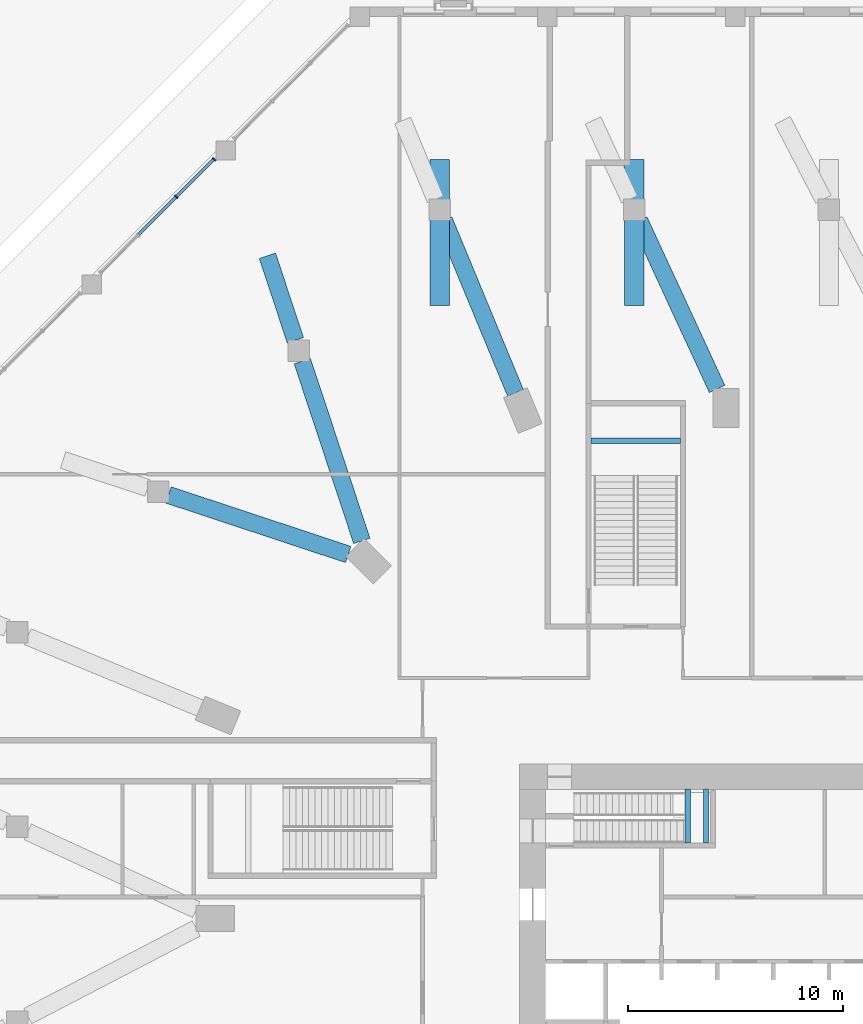
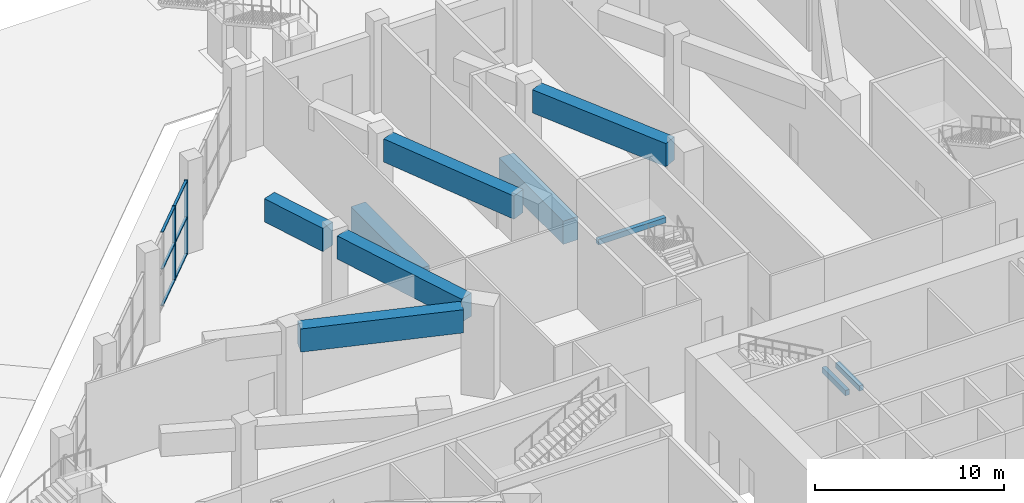
# One storey, part 11 of 36: 10 beams, 8 members, 1 element without a shape of its own.
"""IFC4 building model written with IfcOpenShell, lengths in metres."""

from ifc_helpers import new_model, si_unit, direction, frame, origin, origin_2d, place, context, subcontext, project, spatial, rectangle, extrude, material, material_profile, profile_set, type_object, element, aggregate, save


model = new_model("IFC4")

# Units and contexts
model_context = context("Model", 3, precision=1e-05, world=origin(), true_north=direction((0.0, 1.0)))
body_context = subcontext(model_context, "Body", "Model", "MODEL_VIEW")
ifc_project = project(units=[si_unit("LENGTHUNIT", "METRE"), si_unit("AREAUNIT", "SQUARE_METRE"), si_unit("VOLUMEUNIT", "CUBIC_METRE"), si_unit("PLANEANGLEUNIT", "RADIAN"), si_unit("MASSUNIT", "GRAM", prefix="KILO")], contexts=[model_context])

# Site, building, storey
site_placement = place(None, origin())
site = spatial("IfcSite", under=ifc_project, at=site_placement, CompositionType="ELEMENT")
building_placement = place(site_placement, origin())
building = spatial("IfcBuilding", under=site, at=building_placement, Name="Msitu Wima Residences", CompositionType="ELEMENT")
storey_placement = place(building_placement, origin())
storey = spatial("IfcBuildingStorey", under=building, at=storey_placement, Name="L00", CompositionType="ELEMENT", Elevation=0.0)

# Beams
ifc_material_1 = material(Name="Concrete C40/50", Category="concrete")
ifc_material_profile_1 = material_profile(ifc_material_1, rectangle(XDim=0.25, YDim=0.35009765625, at=origin_2d()), Name="RC 250x350")
ifc_profile_set_1 = profile_set([ifc_material_profile_1], Name="Concrete C40/50")
beam_type_1 = type_object("IfcBeamType", Name="Landing beam RC 250x350", PredefinedType="BEAM", material=ifc_profile_set_1)
for number, where, z_axis, x_axis, name in (
    (1, (-6.574951171875, 8.324951171875, 2.625), (0.0, 1.0, 0.0), (-1.0, 0.0, 0.0), "Stair 1 landing beam"),
    (2, (-5.72509765625, 8.324951171875, 2.625), (0.0, 1.0, 0.0), (-1.0, 0.0, 0.0), "Stair 1 landing beam"),
):
    element("IfcBeam", number, at=place(storey_placement, frame(where, z_axis=z_axis, x_axis=x_axis)), inside=storey, type_object=beam_type_1, Name=name, PredefinedType="BEAM", context=body_context, shape_type="SweptSolid", body=[
        extrude(rectangle(XDim=0.25, YDim=0.35009765625, at=origin_2d()), origin(), (0.0, 0.0, 1.0), 2.5),
    ])
beam_1_placement = place(storey_placement, frame((-6.925048828125, 27.050048828125, 2.625), z_axis=(-1.0, 0.0, 0.0), x_axis=(0.0, -1.0, 0.0)))
element("IfcBeam", 3, at=beam_1_placement, inside=storey, type_object=beam_type_1, Name="Podium exit stair 3 landing beam", PredefinedType="BEAM", context=body_context, shape_type="SweptSolid", body=[
    extrude(rectangle(XDim=0.25, YDim=0.35009765625, at=origin_2d()), origin(), (0.0, 0.0, 1.0), 4.14990234375),
])

# Curtain wall, members
ifc_material_2 = material(Name="Anodised aluminium, bronze finish, clear laminated low-emissivity double glazing", Category="aluminium")
curtain_wall_type = type_object("IfcCurtainWallType", Name="Curtain wall CW1 shopfront", PredefinedType="NOTDEFINED", material=ifc_material_2)
curtain_wall_placement = place(storey_placement, origin())
curtain_wall = element("IfcCurtainWall", 4, at=curtain_wall_placement, inside=storey, type_object=curtain_wall_type, Name="Curtain wall CW1 L00 NW1", PredefinedType="NOTDEFINED")
ifc_material_3 = material(Name="Anodised aluminium, bronze finish", Category="aluminium")
ifc_material_profile_2 = material_profile(ifc_material_3, rectangle(XDim=0.199951171875, YDim=0.06494140625, at=origin_2d()), Name="Mullion 65x200")
ifc_profile_set_2 = profile_set([ifc_material_profile_2], Name="Anodised aluminium, bronze finish")
member_type_1 = type_object("IfcMemberType", Name="Mullion CW1 65x200", PredefinedType="MULLION", material=ifc_profile_set_2)
member_1_placement = place(storey_placement, frame((-28.635498046875, 40.16162109375, 0.0), z_axis=(0.0, 0.0, 1.0), x_axis=(0.707106781187, -0.707106781187, 0.0)))
member_1 = element("IfcMember", 5, at=member_1_placement, type_object=member_type_1, Name="CW1 mullion 1", PredefinedType="MULLION", context=body_context, shape_type="SweptSolid", body=[
    extrude(rectangle(XDim=0.199951171875, YDim=0.06494140625, at=origin_2d()), origin(), (0.0, 0.0, 1.0), 4.800048828125),
])
member_2_placement = place(storey_placement, frame((-30.391357421875, 38.406005859375, 0.0), z_axis=(0.0, 0.0, 1.0), x_axis=(0.707106781187, -0.707106781187, 0.0)))
member_2 = element("IfcMember", 6, at=member_2_placement, type_object=member_type_1, Name="CW1 mullion 2", PredefinedType="MULLION", context=body_context, shape_type="SweptSolid", body=[
    extrude(rectangle(XDim=0.199951171875, YDim=0.06494140625, at=origin_2d()), origin(), (0.0, 0.0, 1.0), 4.800048828125),
])

# Beams
ifc_material_4 = material(Name="Concrete C60/75", Category="concrete")
ifc_material_profile_3 = material_profile(ifc_material_4, rectangle(XDim=0.800048828125, YDim=1.5, at=origin_2d()), Name="RC 800x1500")
ifc_profile_set_3 = profile_set([ifc_material_profile_3], Name="Concrete C60/75")
beam_type_2 = type_object("IfcBeamType", Name="Podium cantilever girder RC 800x1500 Concrete C60/75", PredefinedType="BEAM", material=ifc_profile_set_3)
beam_2_placement = place(storey_placement, frame((-5.2109375, 29.464111328125, 4.89990234375), z_axis=(-0.419573918432, 0.907721172482, 0.0), x_axis=(-0.907721172482, -0.419573918432, 0.0)))
element("IfcBeam", 7, at=beam_2_placement, inside=storey, type_object=beam_type_2, Name="Podium cantilever girder L01 C-N3 back-span", PredefinedType="BEAM", context=body_context, shape_type="SweptSolid", body=[
    extrude(rectangle(XDim=0.800048828125, YDim=1.5, at=origin_2d()), origin(), (0.0, 0.0, 1.0), 8.644287109375),
])
beam_3_placement = place(storey_placement, frame((-14.5966796875, 29.274658203125, 4.89990234375), z_axis=(-0.382667433171, 0.923886159432, 0.0), x_axis=(-0.923886159432, -0.382667433171, 0.0)))
element("IfcBeam", 8, at=beam_3_placement, inside=storey, type_object=beam_type_2, Name="Podium cantilever girder L01 C-NW0 back-span", PredefinedType="BEAM", context=body_context, shape_type="SweptSolid", body=[
    extrude(rectangle(XDim=0.800048828125, YDim=1.5, at=origin_2d()), origin(), (0.0, 0.0, 1.0), 8.698486328125),
])
for number, where, z_axis, x_axis, name in (
    (9, (-21.753662109375, 22.3857421875, 4.89990234375), (-0.314216293001, 0.949351421347, 0.0), (-0.949351421347, -0.314216293001, 0.0), "Podium cantilever girder L01 C-NW1 back-span"),
    (10, (-22.3857421875, 21.753662109375, 4.89990234375), (-0.949351421347, 0.314216293001, 0.0), (-0.314216293001, -0.949351421347, 0.0), "Podium cantilever girder L01 C-NW2 back-span"),
):
    element("IfcBeam", number, at=place(storey_placement, frame(where, z_axis=z_axis, x_axis=x_axis)), inside=storey, type_object=beam_type_2, Name=name, PredefinedType="BEAM", context=body_context, shape_type="SweptSolid", body=[
        extrude(rectangle(XDim=0.800048828125, YDim=1.5, at=origin_2d()), origin(), (0.0, 0.0, 1.0), 8.81494140625),
    ])
ifc_material_profile_4 = material_profile(ifc_material_4, rectangle(XDim=0.800048828125, YDim=1.5, at=origin_2d()), Name="RC 800x1500")
ifc_profile_set_4 = profile_set([ifc_material_profile_4], Name="Concrete C60/75")
beam_type_3 = type_object("IfcBeamType", Name="Podium cantilever girder tip RC 800x1500 Concrete C60/75", PredefinedType="BEAM", material=ifc_profile_set_4)
beam_4_placement = place(storey_placement, frame((-24.846923828125, 31.731201171875, 4.89990234375), z_axis=(-0.314264410189, 0.949335494169, 0.0), x_axis=(-0.949335494169, -0.314264410189, 0.0)))
element("IfcBeam", 11, at=beam_4_placement, inside=storey, type_object=beam_type_3, Name="Podium cantilever girder L01 C-NW1 cantilever", PredefinedType="BEAM", context=body_context, shape_type="SweptSolid", body=[
    extrude(rectangle(XDim=0.800048828125, YDim=1.5, at=origin_2d()), origin(), (0.0, 0.0, 1.0), 4.142333984375),
])
ifc_material_5 = material(Name="Concrete C70/85", Category="concrete")
ifc_material_profile_5 = material_profile(ifc_material_5, rectangle(XDim=0.89990234375, YDim=1.5, at=origin_2d()), Name="RC 900x1500")
ifc_profile_set_5 = profile_set([ifc_material_profile_5], Name="Concrete C70/85")
beam_type_4 = type_object("IfcBeamType", Name="Ramp transfer girder TG900x1500", PredefinedType="BEAM", material=ifc_profile_set_5)
for number, where, z_axis, x_axis, name in (
    (12, (-18.1279296875, 33.35009765625, -1.199951171875), (0.0, 1.0, 0.0), (-1.0, 0.0, 0.0), "Ramp transfer girder 1"),
    (13, (-9.06396484375, 33.35009765625, -1.199951171875), (0.0, 1.0, 0.0), (-1.0, 0.0, 0.0), "Ramp transfer girder 2"),
):
    element("IfcBeam", number, at=place(storey_placement, frame(where, z_axis=z_axis, x_axis=x_axis)), inside=storey, type_object=beam_type_4, Name=name, PredefinedType="BEAM", context=body_context, shape_type="SweptSolid", body=[
        extrude(rectangle(XDim=0.89990234375, YDim=1.5, at=origin_2d()), origin(), (0.0, 0.0, 1.0), 6.7998046875),
    ])

# Member
ifc_material_profile_6 = material_profile(ifc_material_3, rectangle(XDim=0.14990234375, YDim=0.06494140625, at=origin_2d()), Name="Transom 65x150")
ifc_profile_set_6 = profile_set([ifc_material_profile_6], Name="Anodised aluminium, bronze finish")
member_type_2 = type_object("IfcMemberType", Name="Transom CW1 65x150", PredefinedType="USERDEFINED", material=ifc_profile_set_6)
member_3_placement = place(storey_placement, frame((-28.658447265625, 40.138671875, 0.032470703125), z_axis=(-0.70715726177, -0.707056296999, 0.0), x_axis=(0.707056296999, -0.70715726177, 0.0)))
member_3 = element("IfcMember", 14, at=member_3_placement, type_object=member_type_2, Name="CW1 transom 1.1", ObjectType="TRANSOM", PredefinedType="USERDEFINED", context=body_context, shape_type="SweptSolid", body=[
    extrude(rectangle(XDim=0.14990234375, YDim=0.06494140625, at=origin_2d()), origin(), (0.0, 0.0, 1.0), 2.41796875),
])

member_4_placement = place(storey_placement, frame((-28.658447265625, 40.138671875, 2.39990234375), z_axis=(-0.70715726177, -0.707056296999, 0.0), x_axis=(0.707056296999, -0.70715726177, 0.0)))
member_4 = element("IfcMember", 15, at=member_4_placement, type_object=member_type_2, Name="CW1 transom 1.2", ObjectType="TRANSOM", PredefinedType="USERDEFINED", context=body_context, shape_type="SweptSolid", body=[
    extrude(rectangle(XDim=0.14990234375, YDim=0.06494140625, at=origin_2d()), origin(), (0.0, 0.0, 1.0), 2.41796875),
])

member_5_placement = place(storey_placement, frame((-28.658447265625, 40.138671875, 4.767578125), z_axis=(-0.70715726177, -0.707056296999, 0.0), x_axis=(0.707056296999, -0.70715726177, 0.0)))
member_5 = element("IfcMember", 16, at=member_5_placement, type_object=member_type_2, Name="CW1 transom 1.3", ObjectType="TRANSOM", PredefinedType="USERDEFINED", context=body_context, shape_type="SweptSolid", body=[
    extrude(rectangle(XDim=0.14990234375, YDim=0.06494140625, at=origin_2d()), origin(), (0.0, 0.0, 1.0), 2.41796875),
])

member_6_placement = place(storey_placement, frame((-30.414306640625, 38.383056640625, 0.032470703125), z_axis=(-0.707106781187, -0.707106781187, 0.0), x_axis=(0.707106781187, -0.707106781187, 0.0)))
member_6 = element("IfcMember", 17, at=member_6_placement, type_object=member_type_2, Name="CW1 transom 2.1", ObjectType="TRANSOM", PredefinedType="USERDEFINED", context=body_context, shape_type="SweptSolid", body=[
    extrude(rectangle(XDim=0.14990234375, YDim=0.06494140625, at=origin_2d()), origin(), (0.0, 0.0, 1.0), 2.450439453125),
])

member_7_placement = place(storey_placement, frame((-30.414306640625, 38.383056640625, 2.39990234375), z_axis=(-0.707106781187, -0.707106781187, 0.0), x_axis=(0.707106781187, -0.707106781187, 0.0)))
member_7 = element("IfcMember", 18, at=member_7_placement, type_object=member_type_2, Name="CW1 transom 2.2", ObjectType="TRANSOM", PredefinedType="USERDEFINED", context=body_context, shape_type="SweptSolid", body=[
    extrude(rectangle(XDim=0.14990234375, YDim=0.06494140625, at=origin_2d()), origin(), (0.0, 0.0, 1.0), 2.450439453125),
])

member_8_placement = place(storey_placement, frame((-30.414306640625, 38.383056640625, 4.767578125), z_axis=(-0.707106781187, -0.707106781187, 0.0), x_axis=(0.707106781187, -0.707106781187, 0.0)))
member_8 = element("IfcMember", 19, at=member_8_placement, type_object=member_type_2, Name="CW1 transom 2.3", ObjectType="TRANSOM", PredefinedType="USERDEFINED", context=body_context, shape_type="SweptSolid", body=[
    extrude(rectangle(XDim=0.14990234375, YDim=0.06494140625, at=origin_2d()), origin(), (0.0, 0.0, 1.0), 2.450439453125),
])

aggregate(curtain_wall, [member_1, member_2, member_3, member_4, member_5, member_6, member_7, member_8])

save(model, "model.ifc")
